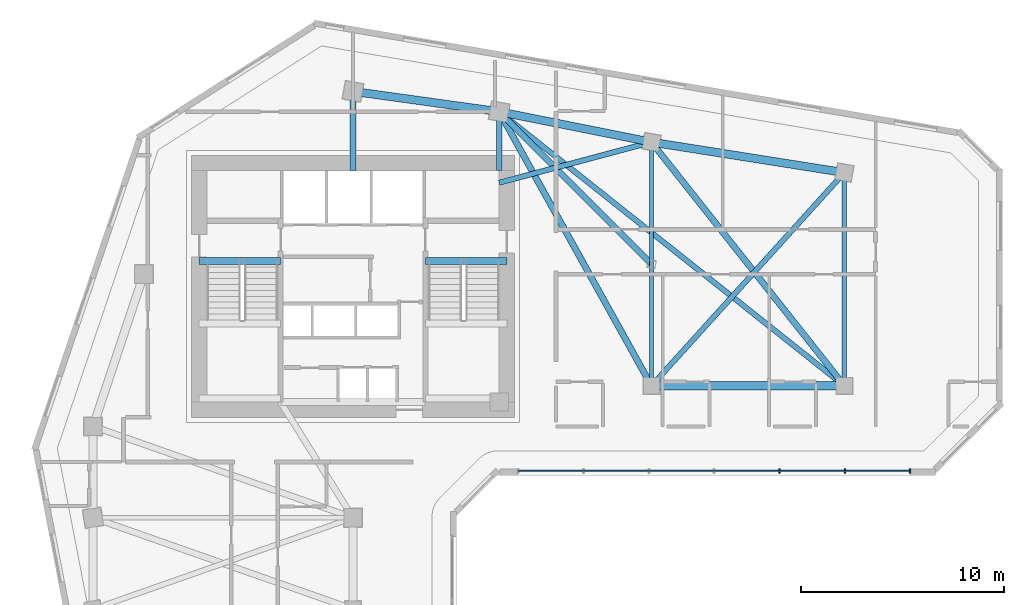
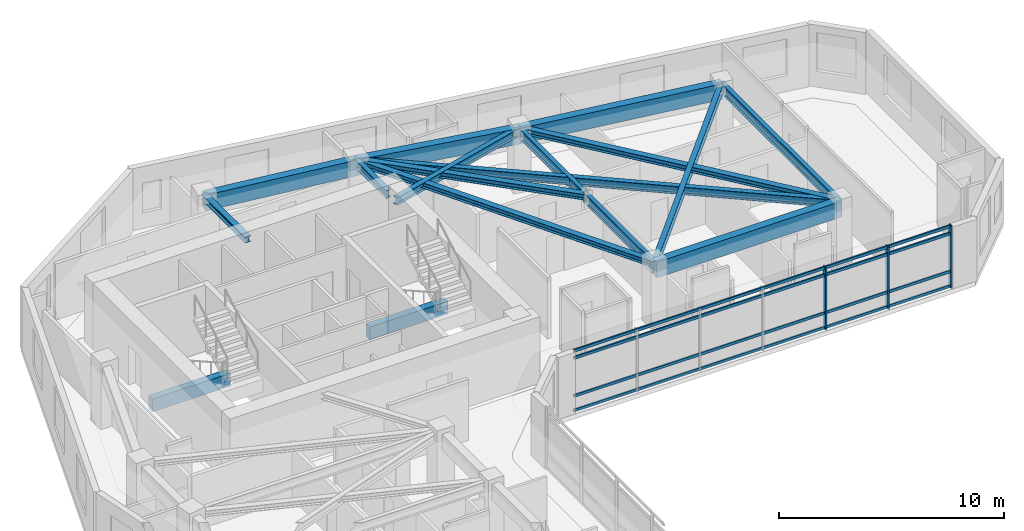
# One storey, part 3 of 12: 16 beams, 7 members, 1 element without a shape of its own.
"""IFC4 building model written with IfcOpenShell, lengths in metres."""

from ifc_helpers import new_model, si_unit, direction, frame, origin, origin_2d, place, context, subcontext, project, spatial, rectangle, i_section, extrude, source, transform, mapped, material, material_profile, profile_set, type_object, element, aggregate, save


model = new_model("IFC4")

# Units and contexts
model_context = context("Model", 3, precision=1e-05, world=origin(), true_north=direction((0.0, 1.0)))
body_context = subcontext(model_context, "Body", "Model", "MODEL_VIEW")
ifc_project = project(units=[si_unit("LENGTHUNIT", "METRE"), si_unit("AREAUNIT", "SQUARE_METRE"), si_unit("VOLUMEUNIT", "CUBIC_METRE"), si_unit("PLANEANGLEUNIT", "RADIAN"), si_unit("MASSUNIT", "GRAM", prefix="KILO")], contexts=[model_context])

# Site, building, storey
site_placement = place(None, origin())
site = spatial("IfcSite", under=ifc_project, at=site_placement, CompositionType="ELEMENT")
building_placement = place(site_placement, origin())
building = spatial("IfcBuilding", under=site, at=building_placement, Name="Calvemar Wedge Station Tower", CompositionType="ELEMENT")
storey_placement = place(building_placement, frame((0.0, 0.0, 121.39990234375)))
storey = spatial("IfcBuildingStorey", under=building, at=storey_placement, Name="L29", CompositionType="ELEMENT", Elevation=121.39990234375)

# Beams
ifc_material_1 = material(Name="Concrete C60", Category="concrete")
ifc_material_profile_1 = material_profile(ifc_material_1, rectangle(XDim=0.39990234375, YDim=0.85009765625, at=origin_2d()), Name="RC400x850")
ifc_profile_set_1 = profile_set([ifc_material_profile_1], Name="Concrete C60")
beam_type_1 = type_object("IfcBeamType", Name="BM-SP1-850", PredefinedType="SPANDREL", material=ifc_profile_set_1)
shared_shape_1 = source(origin(), body_context, "Body", "SweptSolid", [
    extrude(rectangle(XDim=0.39990234375, YDim=0.85009765625, at=origin_2d()), origin(), (0.0, 0.0, 1.0), 7.26904296875),
])
beam_1_placement = place(storey_placement, frame((23.800048828125, 49.5, 2.925048828125), z_axis=(0.990492146053, -0.13756928657, 0.0), x_axis=(0.13756928657, 0.990492146053, 0.0)))
element("IfcBeam", 1, at=beam_1_placement, inside=storey, type_object=beam_type_1, Name="Storey L29 Spandrel T-N1-T-N2", PredefinedType="SPANDREL", context=body_context, shape_type="MappedRepresentation", body=[
    mapped(shared_shape_1, transform((0.0, 0.0, 0.0), scale=1.0)),
])
shared_shape_2 = source(origin(), body_context, "Body", "SweptSolid", [
    extrude(rectangle(XDim=0.39990234375, YDim=0.85009765625, at=origin_2d()), origin(), (0.0, 0.0, 1.0), 7.6484375),
])
beam_2_placement = place(storey_placement, frame((31.0, 48.5, 2.925048828125), z_axis=(0.980580675691, -0.196116135138, 0.0), x_axis=(0.196116135138, 0.980580675691, 0.0)))
element("IfcBeam", 2, at=beam_2_placement, inside=storey, type_object=beam_type_1, Name="Storey L29 Spandrel T-N2-T-NU3", PredefinedType="SPANDREL", context=body_context, shape_type="MappedRepresentation", body=[
    mapped(shared_shape_2, transform((0.0, 0.0, 0.0), scale=1.0)),
])
shared_shape_3 = source(origin(), body_context, "Body", "SweptSolid", [
    extrude(rectangle(XDim=0.39990234375, YDim=0.85009765625, at=origin_2d()), origin(), (0.0, 0.0, 1.0), 9.61767578125),
])
beam_3_placement = place(storey_placement, frame((38.5, 47.0, 2.925048828125), z_axis=(0.987762965329, -0.155962573473, 0.0), x_axis=(0.155962573473, 0.987762965329, 0.0)))
element("IfcBeam", 3, at=beam_3_placement, inside=storey, type_object=beam_type_1, Name="Storey L29 Spandrel T-NU3-T-NU4", PredefinedType="SPANDREL", context=body_context, shape_type="MappedRepresentation", body=[
    mapped(shared_shape_3, transform((0.0, 0.0, 0.0), scale=1.0)),
])
shared_shape_4 = source(origin(), body_context, "Body", "SweptSolid", [
    extrude(rectangle(XDim=0.39990234375, YDim=0.85009765625, at=origin_2d()), origin(), (0.0, 0.0, 1.0), 9.5),
])
beam_4_placement = place(storey_placement, frame((38.5, 35.0, 2.925048828125), z_axis=(1.0, 0.0, 0.0), x_axis=(0.0, 1.0, 0.0)))
element("IfcBeam", 4, at=beam_4_placement, inside=storey, type_object=beam_type_1, Name="Storey L29 Spandrel T-NL2-T-NL3", PredefinedType="SPANDREL", context=body_context, shape_type="MappedRepresentation", body=[
    mapped(shared_shape_4, transform((0.0, 0.0, 0.0), scale=1.0)),
])
ifc_material_2 = material(Name="Structural steel ASTM A572 Grade 50", Category="steel")
ifc_material_profile_2 = material_profile(ifc_material_2, i_section(OverallWidth=0.304931640625, OverallDepth=0.30810546875, WebThickness=0.010009765625, FlangeThickness=0.015380859375, FilletRadius=0.014892578125, at=origin_2d()), Name="W310x97")
ifc_profile_set_2 = profile_set([ifc_material_profile_2], Name="Structural steel ASTM A572 Grade 50")
beam_type_2 = type_object("IfcBeamType", Name="BM-J6-W310", PredefinedType="JOIST", material=ifc_profile_set_2)
shared_shape_5 = source(origin(), body_context, "Body", "SweptSolid", [
    extrude(i_section(OverallWidth=0.304931640625, OverallDepth=0.30810546875, WebThickness=0.010009765625, FlangeThickness=0.015380859375, FilletRadius=0.014892578125, at=origin_2d()), origin(), (0.0, 0.0, 1.0), 15.443359375),
])
beam_5_placement = place(storey_placement, frame((31.0, 48.5, 3.196044921875), z_axis=(0.485642931179, -0.874157276122, 0.0), x_axis=(0.874157276122, 0.485642931179, 0.0)))
element("IfcBeam", 5, at=beam_5_placement, inside=storey, type_object=beam_type_2, Name="Storey L29 Floor Beam T-N2-T-NL2", PredefinedType="JOIST", context=body_context, shape_type="MappedRepresentation", body=[
    mapped(shared_shape_5, transform((0.0, 0.0, 0.0), scale=1.0)),
])
ifc_material_profile_3 = material_profile(ifc_material_2, i_section(OverallWidth=0.260986328125, OverallDepth=0.419921875, WebThickness=0.01171875, FlangeThickness=0.019287109375, FilletRadius=0.012939453125, at=origin_2d()), Name="W410x114")
ifc_profile_set_3 = profile_set([ifc_material_profile_3], Name="Structural steel ASTM A572 Grade 50")
beam_type_3 = type_object("IfcBeamType", Name="BM-J2-W410H", PredefinedType="JOIST", material=ifc_profile_set_3)
shared_shape_6 = source(origin(), body_context, "Body", "SweptSolid", [
    extrude(i_section(OverallWidth=0.260986328125, OverallDepth=0.419921875, WebThickness=0.01171875, FlangeThickness=0.019287109375, FilletRadius=0.012939453125, at=origin_2d()), origin(), (0.0, 0.0, 1.0), 21.708251953125),
])
beam_6_placement = place(storey_placement, frame((31.0, 48.5, 3.14013671875), z_axis=(0.783110847498, -0.621882143602, 0.0), x_axis=(0.621882143602, 0.783110847498, 0.0)))
element("IfcBeam", 6, at=beam_6_placement, inside=storey, type_object=beam_type_3, Name="Storey L29 Floor Beam T-N2-T-NL3", PredefinedType="JOIST", context=body_context, shape_type="MappedRepresentation", body=[
    mapped(shared_shape_6, transform((0.0, 0.0, 0.0), scale=1.0)),
])
shared_shape_7 = source(origin(), body_context, "Body", "SweptSolid", [
    extrude(i_section(OverallWidth=0.304931640625, OverallDepth=0.30810546875, WebThickness=0.010009765625, FlangeThickness=0.015380859375, FilletRadius=0.014892578125, at=origin_2d()), origin(), (0.0, 0.0, 1.0), 15.30517578125),
])
beam_7_placement = place(storey_placement, frame((38.5, 47.0, 3.196044921875), z_axis=(0.620702944366, -0.784045824462, 0.0), x_axis=(0.784045824462, 0.620702944366, 0.0)))
element("IfcBeam", 7, at=beam_7_placement, inside=storey, type_object=beam_type_2, Name="Storey L29 Floor Beam T-NU3-T-NL3", PredefinedType="JOIST", context=body_context, shape_type="MappedRepresentation", body=[
    mapped(shared_shape_7, transform((0.0, 0.0, 0.0), scale=1.0)),
])
shared_shape_8 = source(origin(), body_context, "Body", "SweptSolid", [
    extrude(i_section(OverallWidth=0.260986328125, OverallDepth=0.419921875, WebThickness=0.01171875, FlangeThickness=0.019287109375, FilletRadius=0.012939453125, at=origin_2d()), origin(), (0.0, 0.0, 1.0), 14.159912109375),
])
beam_8_placement = place(storey_placement, frame((38.5, 35.0, 3.14013671875), z_axis=(0.670913323969, 0.741535779124, 0.0), x_axis=(-0.741535779124, 0.670913323969, 0.0)))
element("IfcBeam", 8, at=beam_8_placement, inside=storey, type_object=beam_type_3, Name="Storey L29 Floor Beam T-NL2-T-NU4", PredefinedType="JOIST", context=body_context, shape_type="MappedRepresentation", body=[
    mapped(shared_shape_8, transform((0.0, 0.0, 0.0), scale=1.0)),
])
shared_shape_9 = source(origin(), body_context, "Body", "SweptSolid", [
    extrude(i_section(OverallWidth=0.260986328125, OverallDepth=0.419921875, WebThickness=0.01171875, FlangeThickness=0.019287109375, FilletRadius=0.012939453125, at=origin_2d()), origin(), (0.0, 0.0, 1.0), 7.76220703125),
])
beam_9_placement = place(storey_placement, frame((31.0, 45.0, 3.14013671875), z_axis=(0.966234939601, 0.25766265056, 0.0), x_axis=(-0.25766265056, 0.966234939601, 0.0)))
element("IfcBeam", 9, at=beam_9_placement, inside=storey, type_object=beam_type_3, Name="Storey L29 Core-to-Column Joist CJ-E2", PredefinedType="JOIST", context=body_context, shape_type="MappedRepresentation", body=[
    mapped(shared_shape_9, transform((0.0, 0.0, 0.0), scale=1.0)),
])
shared_shape_10 = source(origin(), body_context, "Body", "SweptSolid", [
    extrude(i_section(OverallWidth=0.304931640625, OverallDepth=0.30810546875, WebThickness=0.010009765625, FlangeThickness=0.015380859375, FilletRadius=0.014892578125, at=origin_2d()), origin(), (0.0, 0.0, 1.0), 3.89990234375),
])
beam_10_placement = place(storey_placement, frame((23.800048828125, 45.60009765625, 3.196044921875), z_axis=(0.0, 1.0, 0.0), x_axis=(-1.0, 0.0, 0.0)))
element("IfcBeam", 10, at=beam_10_placement, inside=storey, type_object=beam_type_2, Name="Storey L29 Core-to-Column Joist CJ-N1", PredefinedType="JOIST", context=body_context, shape_type="MappedRepresentation", body=[
    mapped(shared_shape_10, transform((0.0, 0.0, 0.0), scale=1.0)),
])
shared_shape_11 = source(origin(), body_context, "Body", "SweptSolid", [
    extrude(i_section(OverallWidth=0.260986328125, OverallDepth=0.419921875, WebThickness=0.01171875, FlangeThickness=0.019287109375, FilletRadius=0.012939453125, at=origin_2d()), origin(), (0.0, 0.0, 1.0), 2.89990234375),
])
beam_11_placement = place(storey_placement, frame((31.0, 45.60009765625, 3.14013671875), z_axis=(0.0, 1.0, 0.0), x_axis=(-1.0, 0.0, 0.0)))
element("IfcBeam", 11, at=beam_11_placement, inside=storey, type_object=beam_type_3, Name="Storey L29 Core-to-Column Joist CJ-N2", PredefinedType="JOIST", context=body_context, shape_type="MappedRepresentation", body=[
    mapped(shared_shape_11, transform((0.0, 0.0, 0.0), scale=1.0)),
])
ifc_material_3 = material(Name="Concrete C70", Category="concrete")
ifc_material_profile_4 = material_profile(ifc_material_3, rectangle(XDim=0.35009765625, YDim=0.699951171875, at=origin_2d()), Name="RC350x700")
ifc_profile_set_4 = profile_set([ifc_material_profile_4], Name="Concrete C70")
beam_type_4 = type_object("IfcBeamType", Name="BM-LN1-700", PredefinedType="LINTEL", material=ifc_profile_set_4)
shared_shape_12 = source(origin(), body_context, "Body", "SweptSolid", [
    extrude(rectangle(XDim=0.35009765625, YDim=0.699951171875, at=origin_2d()), origin(), (0.0, 0.0, 1.0), 4.0048828125),
])
for number, where, z_axis, x_axis, name in (
    (12, (16.22509765625, 41.14990234375, -0.349853515625), (1.0, 0.0, 0.0), (0.0, 1.0, 0.0), "Storey L29 Stair ST-C1 Landing Trimmer Beam"),
    (13, (27.3701171875, 41.14990234375, -0.349853515625), (1.0, 0.0, 0.0), (0.0, 1.0, 0.0), "Storey L29 Stair ST-C2 Landing Trimmer Beam"),
):
    element("IfcBeam", number, at=place(storey_placement, frame(where, z_axis=z_axis, x_axis=x_axis)), inside=storey, type_object=beam_type_4, Name=name, PredefinedType="LINTEL", context=body_context, shape_type="MappedRepresentation", body=[
        mapped(shared_shape_12, transform((0.0, 0.0, 0.0), scale=1.0)),
    ])
ifc_material_profile_5 = material_profile(ifc_material_2, i_section(OverallWidth=0.2109375, OverallDepth=0.5390625, WebThickness=0.01171875, FlangeThickness=0.018798828125, FilletRadius=0.012939453125, at=origin_2d()), Name="W530x109")
ifc_profile_set_5 = profile_set([ifc_material_profile_5], Name="Structural steel ASTM A572 Grade 50")
beam_type_5 = type_object("IfcBeamType", Name="BM-SB4-W530", PredefinedType="BEAM", material=ifc_profile_set_5)
shared_shape_13 = source(origin(), body_context, "Body", "SweptSolid", [
    extrude(i_section(OverallWidth=0.2109375, OverallDepth=0.5390625, WebThickness=0.01171875, FlangeThickness=0.018798828125, FilletRadius=0.012939453125, at=origin_2d()), origin(), (0.0, 0.0, 1.0), 12.0),
])
beam_12_placement = place(storey_placement, frame((38.5, 47.0, 3.08056640625), z_axis=(0.0, -1.0, 0.0), x_axis=(1.0, 0.0, 0.0)))
element("IfcBeam", 14, at=beam_12_placement, inside=storey, type_object=beam_type_5, Name="Storey L29 Floor Beam T-NU3-T-NL2", PredefinedType="BEAM", context=body_context, shape_type="MappedRepresentation", body=[
    mapped(shared_shape_13, transform((0.0, 0.0, 0.0), scale=1.0)),
])
shared_shape_14 = source(origin(), body_context, "Body", "SweptSolid", [
    extrude(i_section(OverallWidth=0.2109375, OverallDepth=0.5390625, WebThickness=0.01171875, FlangeThickness=0.018798828125, FilletRadius=0.012939453125, at=origin_2d()), origin(), (0.0, 0.0, 1.0), 10.5),
])
beam_13_placement = place(storey_placement, frame((48.0, 45.5, 3.08056640625), z_axis=(0.0, -1.0, 0.0), x_axis=(1.0, 0.0, 0.0)))
element("IfcBeam", 15, at=beam_13_placement, inside=storey, type_object=beam_type_5, Name="Storey L29 Floor Beam T-NU4-T-NL3", PredefinedType="BEAM", context=body_context, shape_type="MappedRepresentation", body=[
    mapped(shared_shape_14, transform((0.0, 0.0, 0.0), scale=1.0)),
])
shared_shape_15 = source(origin(), body_context, "Body", "SweptSolid", [
    extrude(i_section(OverallWidth=0.304931640625, OverallDepth=0.30810546875, WebThickness=0.010009765625, FlangeThickness=0.015380859375, FilletRadius=0.014892578125, at=origin_2d()), origin(), (0.0, 0.0, 1.0), 10.606689453125),
])
beam_14_placement = place(storey_placement, frame((38.5, 41.0, 3.196044921875), z_axis=(-0.707106781187, 0.707106781187, 0.0), x_axis=(-0.707106781187, -0.707106781187, 0.0)))
element("IfcBeam", 16, at=beam_14_placement, inside=storey, type_object=beam_type_2, Name="Storey L29 Floor Beam T-NTIP-B-T-N2", PredefinedType="JOIST", context=body_context, shape_type="MappedRepresentation", body=[
    mapped(shared_shape_15, transform((0.0, 0.0, 0.0), scale=1.0)),
])

# Curtain wall, members
ifc_material_4 = material(Name="Anodised aluminium 6063-T6", Category="aluminium")
curtain_wall_type = type_object("IfcCurtainWallType", Name="CW2", PredefinedType="NOTDEFINED", material=ifc_material_4)
curtain_wall_placement = place(storey_placement, origin())
curtain_wall = element("IfcCurtainWall", 17, at=curtain_wall_placement, inside=storey, type_object=curtain_wall_type, Name="Storey L29 CW2 Recessed Unitised Curtain Wall 6", PredefinedType="NOTDEFINED")
ifc_material_profile_6 = material_profile(ifc_material_4, rectangle(XDim=0.074951171875, YDim=0.219970703125, at=origin_2d()), Name="AL-MUL-75x220")
ifc_profile_set_6 = profile_set([ifc_material_profile_6], Name="Anodised aluminium 6063-T6")
member_type_1 = type_object("IfcMemberType", Name="CW2-MUL", PredefinedType="MULLION", material=ifc_profile_set_6)
shared_shape_16 = source(origin(), body_context, "Body", "SweptSolid", [
    extrude(rectangle(XDim=0.074951171875, YDim=0.219970703125, at=origin_2d()), origin(), (0.0, 0.0, 1.0), 3.39990234375),
])
member_1_placement = place(storey_placement, frame((44.80322265625, 30.802001953125, -0.0498046875), z_axis=(0.0, 0.0, 1.0), x_axis=(1.0, 0.0, 0.0)))
member_1 = element("IfcMember", 18, at=member_1_placement, type_object=member_type_1, Name="CW2 mullion 5", PredefinedType="MULLION", context=body_context, shape_type="MappedRepresentation", body=[
    mapped(shared_shape_16, transform((0.0, 0.0, 0.0), scale=1.0)),
])
member_2_placement = place(storey_placement, frame((48.0205078125, 30.802001953125, -0.0498046875), z_axis=(0.0, 0.0, 1.0), x_axis=(1.0, 0.0, 0.0)))
member_2 = element("IfcMember", 19, at=member_2_placement, type_object=member_type_1, Name="CW2 mullion 6", PredefinedType="MULLION", context=body_context, shape_type="MappedRepresentation", body=[
    mapped(shared_shape_16, transform((0.0, 0.0, 0.0), scale=1.0)),
])
member_3_placement = place(storey_placement, frame((51.23779296875, 30.802001953125, -0.0498046875), z_axis=(0.0, 0.0, 1.0), x_axis=(1.0, 0.0, 0.0)))
member_3 = element("IfcMember", 20, at=member_3_placement, type_object=member_type_1, Name="CW2 mullion 7", PredefinedType="MULLION", context=body_context, shape_type="MappedRepresentation", body=[
    mapped(shared_shape_16, transform((0.0, 0.0, 0.0), scale=1.0)),
])
ifc_material_profile_7 = material_profile(ifc_material_4, rectangle(XDim=0.074951171875, YDim=0.14990234375, at=origin_2d()), Name="AL-TRN-75x150")
ifc_profile_set_7 = profile_set([ifc_material_profile_7], Name="Anodised aluminium 6063-T6")
member_type_2 = type_object("IfcMemberType", Name="CW2-TRN", PredefinedType="USERDEFINED", material=ifc_profile_set_7)
shared_shape_17 = source(origin(), body_context, "Body", "SweptSolid", [
    extrude(rectangle(XDim=0.074951171875, YDim=0.14990234375, at=origin_2d()), origin(), (0.0, 0.0, 1.0), 19.303955078125),
])
member_4_placement = place(storey_placement, frame((31.933837890625, 30.802001953125, 0.06005859375), z_axis=(1.0, 0.0, 0.0), x_axis=(0.0, 1.0, 0.0)))
member_4 = element("IfcMember", 21, at=member_4_placement, type_object=member_type_2, Name="CW2 transom 1", ObjectType="TRANSOM", PredefinedType="USERDEFINED", context=body_context, shape_type="MappedRepresentation", body=[
    mapped(shared_shape_17, transform((0.0, 0.0, 0.0), scale=1.0)),
])
member_5_placement = place(storey_placement, frame((31.933837890625, 30.802001953125, 0.85009765625), z_axis=(1.0, 0.0, 0.0), x_axis=(0.0, 1.0, 0.0)))
member_5 = element("IfcMember", 22, at=member_5_placement, type_object=member_type_2, Name="CW2 transom 2", ObjectType="TRANSOM", PredefinedType="USERDEFINED", context=body_context, shape_type="MappedRepresentation", body=[
    mapped(shared_shape_17, transform((0.0, 0.0, 0.0), scale=1.0)),
])
member_6_placement = place(storey_placement, frame((31.933837890625, 30.802001953125, 2.900146484375), z_axis=(1.0, 0.0, 0.0), x_axis=(0.0, 1.0, 0.0)))
member_6 = element("IfcMember", 23, at=member_6_placement, type_object=member_type_2, Name="CW2 transom 3", ObjectType="TRANSOM", PredefinedType="USERDEFINED", context=body_context, shape_type="MappedRepresentation", body=[
    mapped(shared_shape_17, transform((0.0, 0.0, 0.0), scale=1.0)),
])
member_7_placement = place(storey_placement, frame((31.933837890625, 30.802001953125, 3.2900390625), z_axis=(1.0, 0.0, 0.0), x_axis=(0.0, 1.0, 0.0)))
member_7 = element("IfcMember", 24, at=member_7_placement, type_object=member_type_2, Name="CW2 transom 4", ObjectType="TRANSOM", PredefinedType="USERDEFINED", context=body_context, shape_type="MappedRepresentation", body=[
    mapped(shared_shape_17, transform((0.0, 0.0, 0.0), scale=1.0)),
])
aggregate(curtain_wall, [member_1, member_2, member_3, member_4, member_5, member_6, member_7])

save(model, "model.ifc")
